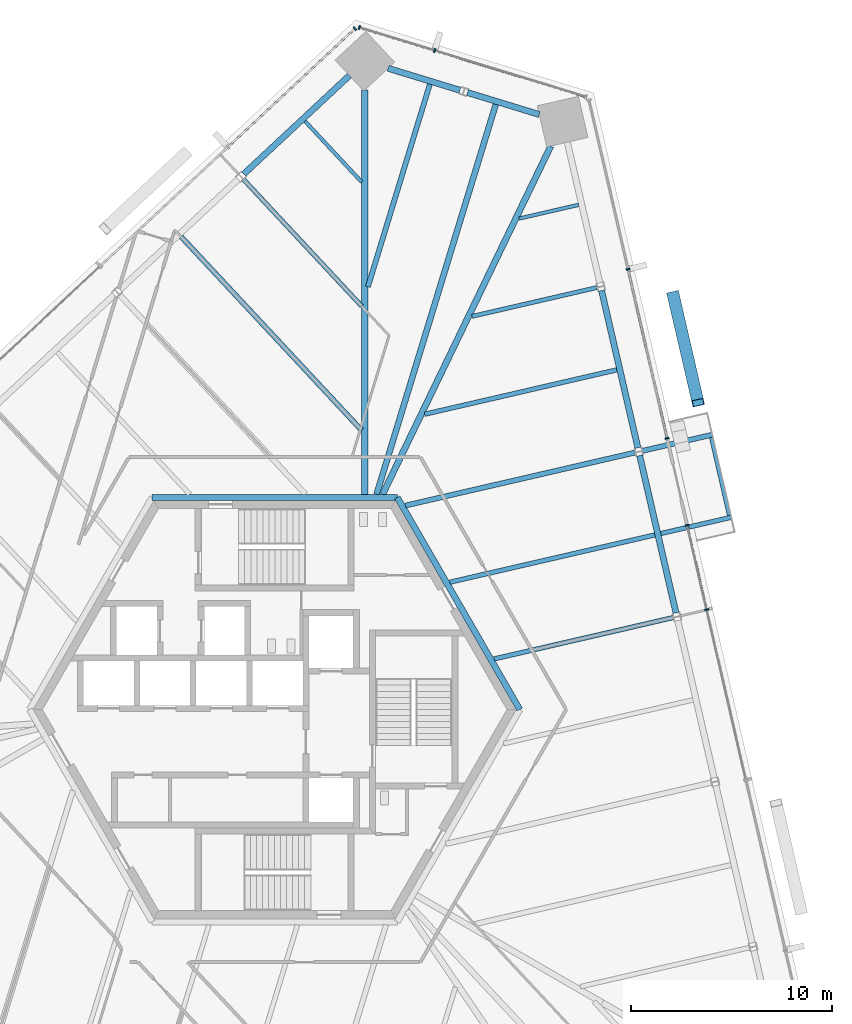
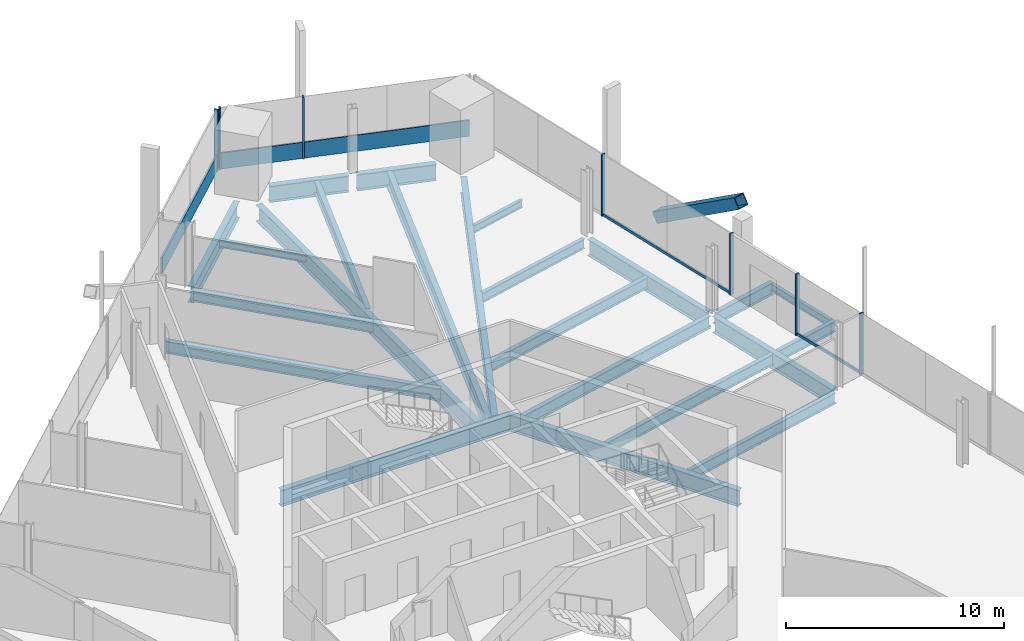
# One storey, part 9 of 23: 23 beams, 13 members, 4 elements without a shape of their own.
"""IFC4 building model written with IfcOpenShell, lengths in metres."""

from ifc_helpers import new_model, si_unit, direction, frame, origin, origin_2d, place, context, subcontext, project, spatial, rectangle, hollow_rectangle, i_section, extrude, source, transform, mapped, material, material_profile, profile_set, type_object, element, aggregate, save


model = new_model("IFC4")

# Units and contexts
model_context = context("Model", 3, precision=1e-05, world=origin(), true_north=direction((0.0, 1.0)))
body_context = subcontext(model_context, "Body", "Model", "MODEL_VIEW")
ifc_project = project(units=[si_unit("LENGTHUNIT", "METRE"), si_unit("AREAUNIT", "SQUARE_METRE"), si_unit("VOLUMEUNIT", "CUBIC_METRE"), si_unit("PLANEANGLEUNIT", "RADIAN"), si_unit("MASSUNIT", "GRAM", prefix="KILO")], contexts=[model_context])

# Site, building, storey
site_placement = place(None, origin())
site = spatial("IfcSite", under=ifc_project, at=site_placement, CompositionType="ELEMENT")
building_placement = place(site_placement, origin())
building = spatial("IfcBuilding", under=site, at=building_placement, Name="Triune Harvest Tower", CompositionType="ELEMENT")
storey_placement = place(building_placement, frame((0.0, 0.0, 105.5)))
storey = spatial("IfcBuildingStorey", under=building, at=storey_placement, Name="L26", CompositionType="ELEMENT", Elevation=105.5)

# Beams
ifc_material_1 = material(Name="Steel ASTM A992 Gr 50", Category="steel")
ifc_material_profile_1 = material_profile(ifc_material_1, i_section(OverallWidth=0.3046875, OverallDepth=0.914306640625, WebThickness=0.0166015625, FlangeThickness=0.02587890625, at=origin_2d()), Name="W36x160")
ifc_profile_set_1 = profile_set([ifc_material_profile_1], Name="Steel ASTM A992 Gr 50")
beam_type_1 = type_object("IfcBeamType", Name="CG-1 Core ring girder W36x160", PredefinedType="BEAM", material=ifc_profile_set_1)
shared_shape_1 = source(origin(), body_context, "Body", "SweptSolid", [
    extrude(i_section(OverallWidth=0.3046875, OverallDepth=0.914306640625, WebThickness=0.0166015625, FlangeThickness=0.02587890625, at=origin_2d()), origin(), (0.0, 0.0, 1.0), 12.176025390625),
])
beam_1_placement = place(storey_placement, frame((12.176025390625, 0.0, -0.6171875), z_axis=(-0.5000099932, 0.866019634131, 0.0), x_axis=(-0.866019634131, -0.5000099932, 0.0)))
element("IfcBeam", 1, at=beam_1_placement, inside=storey, type_object=beam_type_1, Name="beam/L26/CG1", PredefinedType="BEAM", context=body_context, shape_type="MappedRepresentation", body=[
    mapped(shared_shape_1, transform((0.0, 0.0, 0.0), scale=1.0)),
])
shared_shape_2 = source(origin(), body_context, "Body", "SweptSolid", [
    extrude(i_section(OverallWidth=0.3046875, OverallDepth=0.914306640625, WebThickness=0.0166015625, FlangeThickness=0.02587890625, at=origin_2d()), origin(), (0.0, 0.0, 1.0), 12.17578125),
])
beam_2_placement = place(storey_placement, frame((6.087890625, 10.544677734375, -0.6171875), z_axis=(-1.0, 0.0, 0.0), x_axis=(0.0, -1.0, 0.0)))
element("IfcBeam", 2, at=beam_2_placement, inside=storey, type_object=beam_type_1, Name="beam/L26/CG2", PredefinedType="BEAM", context=body_context, shape_type="MappedRepresentation", body=[
    mapped(shared_shape_2, transform((0.0, 0.0, 0.0), scale=1.0)),
])
ifc_material_2 = material(Name="Steel ASTM A992 Gr 50", Category="steel")
ifc_material_profile_2 = material_profile(ifc_material_2, i_section(OverallWidth=0.3046875, OverallDepth=0.914306640625, WebThickness=0.0166015625, FlangeThickness=0.02587890625, at=origin_2d()), Name="W36x160")
ifc_profile_set_2 = profile_set([ifc_material_profile_2], Name="Steel ASTM A992 Gr 50")
beam_type_2 = type_object("IfcBeamType", Name="SB-1 Spandrel beam W36x160", PredefinedType="SPANDREL", material=ifc_profile_set_2)
shared_shape_3 = source(origin(), body_context, "Body", "SweptSolid", [
    extrude(i_section(OverallWidth=0.3046875, OverallDepth=0.914306640625, WebThickness=0.0166015625, FlangeThickness=0.02587890625, at=origin_2d()), origin(), (0.0, 0.0, 1.0), 8.0185546875),
])
beam_3_placement = place(storey_placement, frame((18.04248046875, 13.00439453125, -0.6171875), z_axis=(-0.224915098534, 0.974378365139, 0.0), x_axis=(-0.974378365139, -0.224915098534, 0.0)))
element("IfcBeam", 3, at=beam_3_placement, inside=storey, type_object=beam_type_2, Name="beam/L26/SB5", PredefinedType="SPANDREL", context=body_context, shape_type="MappedRepresentation", body=[
    mapped(shared_shape_3, transform((0.0, 0.0, 0.0), scale=1.0)),
])
shared_shape_4 = source(origin(), body_context, "Body", "SweptSolid", [
    extrude(i_section(OverallWidth=0.3046875, OverallDepth=0.914306640625, WebThickness=0.0166015625, FlangeThickness=0.02587890625, at=origin_2d()), origin(), (0.0, 0.0, 1.0), 8.01806640625),
])
beam_4_placement = place(storey_placement, frame((19.935546875, 4.805908203125, -0.6171875), z_axis=(-0.224957352975, 0.97436861061, 0.0), x_axis=(-0.97436861061, -0.224957352975, 0.0)))
element("IfcBeam", 4, at=beam_4_placement, inside=storey, type_object=beam_type_2, Name="beam/L26/SB4", PredefinedType="SPANDREL", context=body_context, shape_type="MappedRepresentation", body=[
    mapped(shared_shape_4, transform((0.0, 0.0, 0.0), scale=1.0)),
])
shared_shape_5 = source(origin(), body_context, "Body", "SweptSolid", [
    extrude(i_section(OverallWidth=0.3046875, OverallDepth=0.914306640625, WebThickness=0.0166015625, FlangeThickness=0.02587890625, at=origin_2d()), origin(), (0.0, 0.0, 1.0), 7.16650390625),
])
beam_5_placement = place(storey_placement, frame((3.709228515625, 31.49658203125, -0.6171875), z_axis=(-0.731357675554, -0.681994098515, 0.0), x_axis=(0.681994098515, -0.731357675554, 0.0)))
element("IfcBeam", 5, at=beam_5_placement, inside=storey, type_object=beam_type_2, Name="beam/L26/SB9", PredefinedType="SPANDREL", context=body_context, shape_type="MappedRepresentation", body=[
    mapped(shared_shape_5, transform((0.0, 0.0, 0.0), scale=1.0)),
])
shared_shape_6 = source(origin(), body_context, "Body", "SweptSolid", [
    extrude(i_section(OverallWidth=0.3046875, OverallDepth=0.914306640625, WebThickness=0.0166015625, FlangeThickness=0.02587890625, at=origin_2d()), origin(), (0.0, 0.0, 1.0), 3.72607421875),
])
beam_6_placement = place(storey_placement, frame((13.14208984375, 29.563720703125, -0.6171875), z_axis=(-0.956307307825, 0.292363357829, 0.0), x_axis=(-0.292363357829, -0.956307307825, 0.0)))
element("IfcBeam", 6, at=beam_6_placement, inside=storey, type_object=beam_type_2, Name="beam/L26/SB7", PredefinedType="SPANDREL", context=body_context, shape_type="MappedRepresentation", body=[
    mapped(shared_shape_6, transform((0.0, 0.0, 0.0), scale=1.0)),
])
shared_shape_7 = source(origin(), body_context, "Body", "SweptSolid", [
    extrude(i_section(OverallWidth=0.3046875, OverallDepth=0.914306640625, WebThickness=0.0166015625, FlangeThickness=0.02587890625, at=origin_2d()), origin(), (0.0, 0.0, 1.0), 3.725830078125),
])
beam_7_placement = place(storey_placement, frame((9.19970703125, 30.768798828125, -0.6171875), z_axis=(-0.956301706638, 0.292381678431, 0.0), x_axis=(-0.292381678431, -0.956301706638, 0.0)))
element("IfcBeam", 7, at=beam_7_placement, inside=storey, type_object=beam_type_2, Name="beam/L26/SB8", PredefinedType="SPANDREL", context=body_context, shape_type="MappedRepresentation", body=[
    mapped(shared_shape_7, transform((0.0, 0.0, 0.0), scale=1.0)),
])
ifc_material_3 = material(Name="Steel ASTM A992 Gr 50", Category="steel")
ifc_material_profile_3 = material_profile(ifc_material_3, i_section(OverallWidth=0.307373046875, OverallDepth=0.922119140625, WebThickness=0.018310546875, FlangeThickness=0.030029296875, at=origin_2d()), Name="W36x182")
ifc_profile_set_3 = profile_set([ifc_material_profile_3], Name="Steel ASTM A992 Gr 50")
beam_type_3 = type_object("IfcBeamType", Name="HG-2 Hip girder W36x182", PredefinedType="BEAM", material=ifc_profile_set_3)
shared_shape_8 = source(origin(), body_context, "Body", "SweptSolid", [
    extrude(i_section(OverallWidth=0.307373046875, OverallDepth=0.922119140625, WebThickness=0.018310546875, FlangeThickness=0.030029296875, at=origin_2d()), origin(), (0.0, 0.0, 1.0), 19.2109375),
])
beam_8_placement = place(storey_placement, frame((13.7158203125, 27.996337890625, -0.62109375), z_axis=(-0.434869540736, -0.900493466129, 0.0), x_axis=(0.900493466129, -0.434869540736, 0.0)))
element("IfcBeam", 8, at=beam_8_placement, inside=storey, type_object=beam_type_3, Name="beam/L26/HG3", PredefinedType="BEAM", context=body_context, shape_type="MappedRepresentation", body=[
    mapped(shared_shape_8, transform((0.0, 0.0, 0.0), scale=1.0)),
])
shared_shape_9 = source(origin(), body_context, "Body", "SweptSolid", [
    extrude(i_section(OverallWidth=0.307373046875, OverallDepth=0.922119140625, WebThickness=0.018310546875, FlangeThickness=0.030029296875, at=origin_2d()), origin(), (0.0, 0.0, 1.0), 20.080078125),
])
beam_9_placement = place(storey_placement, frame((4.47705078125, 30.777099609375, -0.62109375), z_axis=(0.0, -1.0, 0.0), x_axis=(1.0, 0.0, 0.0)))
element("IfcBeam", 9, at=beam_9_placement, inside=storey, type_object=beam_type_3, Name="beam/L26/HG4", PredefinedType="BEAM", context=body_context, shape_type="MappedRepresentation", body=[
    mapped(shared_shape_9, transform((0.0, 0.0, 0.0), scale=1.0)),
])
ifc_material_4 = material(Name="Steel ASTM A992 Gr 50", Category="steel")
ifc_material_profile_4 = material_profile(ifc_material_4, i_section(OverallWidth=0.22900390625, OverallDepth=0.612060546875, WebThickness=0.011962890625, FlangeThickness=0.01953125, at=origin_2d()), Name="W24x84")
ifc_profile_set_4 = profile_set([ifc_material_profile_4], Name="Steel ASTM A992 Gr 50")
beam_type_4 = type_object("IfcBeamType", Name="JT-3 Floor joist W24x84", PredefinedType="JOIST", material=ifc_profile_set_4)
shared_shape_10 = source(origin(), body_context, "Body", "SweptSolid", [
    extrude(i_section(OverallWidth=0.22900390625, OverallDepth=0.612060546875, WebThickness=0.011962890625, FlangeThickness=0.01953125, at=origin_2d()), origin(), (0.0, 0.0, 1.0), 9.129150390625),
])
beam_10_placement = place(storey_placement, frame((19.79443359375, 4.56982421875, -0.466064453125), z_axis=(-0.974374065454, -0.22493372484, 0.0), x_axis=(0.22493372484, -0.974374065454, 0.0)))
element("IfcBeam", 10, at=beam_10_placement, inside=storey, type_object=beam_type_4, Name="beam/L26/JT6", PredefinedType="JOIST", context=body_context, shape_type="MappedRepresentation", body=[
    mapped(shared_shape_10, transform((0.0, 0.0, 0.0), scale=1.0)),
])
shared_shape_11 = source(origin(), body_context, "Body", "SweptSolid", [
    extrude(i_section(OverallWidth=0.22900390625, OverallDepth=0.612060546875, WebThickness=0.011962890625, FlangeThickness=0.01953125, at=origin_2d()), origin(), (0.0, 0.0, 1.0), 10.45361328125),
])
beam_11_placement = place(storey_placement, frame((18.88525390625, 8.677978515625, -0.466064453125), z_axis=(-0.974370329956, -0.224949905758, 0.0), x_axis=(0.224949905758, -0.974370329956, 0.0)))
element("IfcBeam", 11, at=beam_11_placement, inside=storey, type_object=beam_type_4, Name="beam/L26/JT7", PredefinedType="JOIST", context=body_context, shape_type="MappedRepresentation", body=[
    mapped(shared_shape_11, transform((0.0, 0.0, 0.0), scale=1.0)),
])
ifc_material_5 = material(Name="Steel ASTM A992 Gr 50", Category="steel")
ifc_material_profile_5 = material_profile(ifc_material_5, i_section(OverallWidth=0.253662109375, OverallDepth=0.683349609375, WebThickness=0.012451171875, FlangeThickness=0.01904296875, at=origin_2d()), Name="W27x94")
ifc_profile_set_5 = profile_set([ifc_material_profile_5], Name="Steel ASTM A992 Gr 50")
beam_type_5 = type_object("IfcBeamType", Name="JT-4 Floor joist W27x94", PredefinedType="JOIST", material=ifc_profile_set_5)
shared_shape_12 = source(origin(), body_context, "Body", "SweptSolid", [
    extrude(i_section(OverallWidth=0.253662109375, OverallDepth=0.683349609375, WebThickness=0.012451171875, FlangeThickness=0.01904296875, at=origin_2d()), origin(), (0.0, 0.0, 1.0), 11.701904296875),
])
beam_12_placement = place(storey_placement, frame((17.901611328125, 12.768798828125, -0.501708984375), z_axis=(-0.974365520252, -0.224970737974, 0.0), x_axis=(0.224970737974, -0.974365520252, 0.0)))
element("IfcBeam", 12, at=beam_12_placement, inside=storey, type_object=beam_type_5, Name="beam/L26/JT8", PredefinedType="JOIST", context=body_context, shape_type="MappedRepresentation", body=[
    mapped(shared_shape_12, transform((0.0, 0.0, 0.0), scale=1.0)),
])
shared_shape_13 = source(origin(), body_context, "Body", "SweptSolid", [
    extrude(i_section(OverallWidth=0.22900390625, OverallDepth=0.612060546875, WebThickness=0.011962890625, FlangeThickness=0.01953125, at=origin_2d()), origin(), (0.0, 0.0, 1.0), 9.790283203125),
])
beam_13_placement = place(storey_placement, frame((16.9921875, 16.876708984375, -0.466064453125), z_axis=(-0.974368495141, -0.224957853113, 0.0), x_axis=(0.224957853113, -0.974368495141, 0.0)))
element("IfcBeam", 13, at=beam_13_placement, inside=storey, type_object=beam_type_4, Name="beam/L26/JT9", PredefinedType="JOIST", context=body_context, shape_type="MappedRepresentation", body=[
    mapped(shared_shape_13, transform((0.0, 0.0, 0.0), scale=1.0)),
])
ifc_material_6 = material(Name="Steel ASTM A992 Gr 50", Category="steel")
ifc_material_profile_6 = material_profile(ifc_material_6, i_section(OverallWidth=0.2099609375, OverallDepth=0.535888671875, WebThickness=0.010986328125, FlangeThickness=0.017333984375, at=origin_2d()), Name="W21x68")
ifc_profile_set_6 = profile_set([ifc_material_profile_6], Name="Steel ASTM A992 Gr 50")
beam_type_6 = type_object("IfcBeamType", Name="JT-2 Floor joist W21x68", PredefinedType="JOIST", material=ifc_profile_set_6)
shared_shape_14 = source(origin(), body_context, "Body", "SweptSolid", [
    extrude(i_section(OverallWidth=0.2099609375, OverallDepth=0.535888671875, WebThickness=0.010986328125, FlangeThickness=0.017333984375, at=origin_2d()), origin(), (0.0, 0.0, 1.0), 6.372314453125),
])
beam_14_placement = place(storey_placement, frame((16.0087890625, 20.967529296875, -0.427978515625), z_axis=(-0.974365360565, -0.224971429586, 0.0), x_axis=(0.224971429586, -0.974365360565, 0.0)))
element("IfcBeam", 14, at=beam_14_placement, inside=storey, type_object=beam_type_6, Name="beam/L26/JT10", PredefinedType="JOIST", context=body_context, shape_type="MappedRepresentation", body=[
    mapped(shared_shape_14, transform((0.0, 0.0, 0.0), scale=1.0)),
])
ifc_material_7 = material(Name="Steel ASTM A992 Gr 50", Category="steel")
ifc_material_profile_7 = material_profile(ifc_material_7, i_section(OverallWidth=0.180908203125, OverallDepth=0.41650390625, WebThickness=0.010986328125, FlangeThickness=0.01806640625, at=origin_2d()), Name="W16x57")
ifc_profile_set_7 = profile_set([ifc_material_profile_7], Name="Steel ASTM A992 Gr 50")
beam_type_7 = type_object("IfcBeamType", Name="JT-1 Floor joist W16x57", PredefinedType="JOIST", material=ifc_profile_set_7)
shared_shape_15 = source(origin(), body_context, "Body", "SweptSolid", [
    extrude(i_section(OverallWidth=0.180908203125, OverallDepth=0.41650390625, WebThickness=0.010986328125, FlangeThickness=0.01806640625, at=origin_2d()), origin(), (0.0, 0.0, 1.0), 3.0302734375),
])
beam_15_placement = place(storey_placement, frame((15.099365234375, 25.075439453125, -0.368408203125), z_axis=(-0.974372182121, -0.224941882957, 0.0), x_axis=(0.224941882957, -0.974372182121, 0.0)))
element("IfcBeam", 15, at=beam_15_placement, inside=storey, type_object=beam_type_7, Name="beam/L26/JT11", PredefinedType="JOIST", context=body_context, shape_type="MappedRepresentation", body=[
    mapped(shared_shape_15, transform((0.0, 0.0, 0.0), scale=1.0)),
])
ifc_material_8 = material(Name="Steel ASTM A992 Gr 50", Category="steel")
ifc_material_profile_8 = material_profile(ifc_material_8, i_section(OverallWidth=0.2919921875, OverallDepth=0.8583984375, WebThickness=0.01708984375, FlangeThickness=0.031005859375, at=origin_2d()), Name="W33x169")
ifc_profile_set_8 = profile_set([ifc_material_profile_8], Name="Steel ASTM A992 Gr 50")
beam_type_8 = type_object("IfcBeamType", Name="JT-7 Floor joist W33x169", PredefinedType="JOIST", material=ifc_profile_set_8)
shared_shape_16 = source(origin(), body_context, "Body", "SweptSolid", [
    extrude(i_section(OverallWidth=0.2919921875, OverallDepth=0.8583984375, WebThickness=0.01708984375, FlangeThickness=0.031005859375, at=origin_2d()), origin(), (0.0, 0.0, 1.0), 20.252685546875),
])
beam_16_placement = place(storey_placement, frame((10.982177734375, 30.064697265625, -0.58935546875), z_axis=(-0.292364925189, -0.956306828648, 0.0), x_axis=(0.956306828648, -0.292364925189, 0.0)))
element("IfcBeam", 16, at=beam_16_placement, inside=storey, type_object=beam_type_8, Name="beam/L26/JT12", PredefinedType="JOIST", context=body_context, shape_type="MappedRepresentation", body=[
    mapped(shared_shape_16, transform((0.0, 0.0, 0.0), scale=1.0)),
])
shared_shape_17 = source(origin(), body_context, "Body", "SweptSolid", [
    extrude(i_section(OverallWidth=0.253662109375, OverallDepth=0.683349609375, WebThickness=0.012451171875, FlangeThickness=0.01904296875, at=origin_2d()), origin(), (0.0, 0.0, 1.0), 10.522705078125),
])
beam_17_placement = place(storey_placement, frame((7.707275390625, 31.065673828125, -0.501708984375), z_axis=(-0.292358820543, -0.956308694957, 0.0), x_axis=(0.956308694957, -0.292358820543, 0.0)))
element("IfcBeam", 17, at=beam_17_placement, inside=storey, type_object=beam_type_5, Name="beam/L26/JT13", PredefinedType="JOIST", context=body_context, shape_type="MappedRepresentation", body=[
    mapped(shared_shape_17, transform((0.0, 0.0, 0.0), scale=1.0)),
])
shared_shape_18 = source(origin(), body_context, "Body", "SweptSolid", [
    extrude(i_section(OverallWidth=0.180908203125, OverallDepth=0.41650390625, WebThickness=0.010986328125, FlangeThickness=0.01806640625, at=origin_2d()), origin(), (0.0, 0.0, 1.0), 4.134033203125),
])
beam_18_placement = place(storey_placement, frame((1.504150390625, 29.23193359375, -0.368408203125), z_axis=(0.681989931417, -0.731361561367, 0.0), x_axis=(0.731361561367, 0.681989931417, 0.0)))
element("IfcBeam", 18, at=beam_18_placement, inside=storey, type_object=beam_type_7, Name="beam/L26/JT14", PredefinedType="JOIST", context=body_context, shape_type="MappedRepresentation", body=[
    mapped(shared_shape_18, transform((0.0, 0.0, 0.0), scale=1.0)),
])
shared_shape_19 = source(origin(), body_context, "Body", "SweptSolid", [
    extrude(i_section(OverallWidth=0.22900390625, OverallDepth=0.612060546875, WebThickness=0.011962890625, FlangeThickness=0.01953125, at=origin_2d()), origin(), (0.0, 0.0, 1.0), 8.607666015625),
])
beam_19_placement = place(storey_placement, frame((-1.546875, 26.334716796875, -0.466064453125), z_axis=(0.681999854465, -0.731352308063, 0.0), x_axis=(0.731352308063, 0.681999854465, 0.0)))
element("IfcBeam", 19, at=beam_19_placement, inside=storey, type_object=beam_type_4, Name="beam/L26/JT15", PredefinedType="JOIST", context=body_context, shape_type="MappedRepresentation", body=[
    mapped(shared_shape_19, transform((0.0, 0.0, 0.0), scale=1.0)),
])
shared_shape_20 = source(origin(), body_context, "Body", "SweptSolid", [
    extrude(i_section(OverallWidth=0.253662109375, OverallDepth=0.683349609375, WebThickness=0.012451171875, FlangeThickness=0.01904296875, at=origin_2d()), origin(), (0.0, 0.0, 1.0), 13.157470703125),
])
beam_20_placement = place(storey_placement, frame((-4.64990234375, 23.493408203125, -0.501708984375), z_axis=(0.681997545037, -0.731354461642, 0.0), x_axis=(0.731354461642, 0.681997545037, 0.0)))
element("IfcBeam", 20, at=beam_20_placement, inside=storey, type_object=beam_type_5, Name="beam/L26/JT16", PredefinedType="JOIST", context=body_context, shape_type="MappedRepresentation", body=[
    mapped(shared_shape_20, transform((0.0, 0.0, 0.0), scale=1.0)),
])

# Member
ifc_material_9 = material(Name="Steel ASTM A572 Gr 50", Category="steel")
ifc_material_profile_9 = material_profile(ifc_material_9, hollow_rectangle(XDim=0.60009765625, YDim=0.60009765625, WallThickness=0.0400390625, at=origin_2d()), Name="Box 600x600x40")
ifc_profile_set_9 = profile_set([ifc_material_profile_9], Name="Steel ASTM A572 Gr 50")
member_type_1 = type_object("IfcMemberType", Name="BR-2 Brace Box 600x600x40", PredefinedType="BRACE", material=ifc_profile_set_9)
shared_shape_21 = source(origin(), body_context, "Body", "SweptSolid", [
    extrude(hollow_rectangle(XDim=0.60009765625, YDim=0.60009765625, WallThickness=0.0400390625, at=origin_2d()), origin(), (0.0, 0.0, 1.0), 6.566650390625),
])
member_1_placement = place(storey_placement, frame((19.7978515625, 20.599365234375, 0.0), z_axis=(0.188125299716, -0.814887414855, 0.54824025091), x_axis=(0.974371711617, 0.224943921014, 0.0)))
element("IfcMember", 21, at=member_1_placement, inside=storey, type_object=member_type_1, Name="brace/B3-F1/d2/3", PredefinedType="BRACE", context=body_context, shape_type="MappedRepresentation", body=[
    mapped(shared_shape_21, transform((0.0, 0.0, 0.0), scale=1.0)),
])

# Curtain wall, members
ifc_material_10 = material(Name="Aluminium bronze anodised", Category="aluminium")
curtain_wall_type_1 = type_object("IfcCurtainWallType", Name="CW-1 Tower stick curtain wall", PredefinedType="NOTDEFINED", material=ifc_material_10)
curtain_wall_1_placement = place(storey_placement, origin())
curtain_wall_1 = element("IfcCurtainWall", 22, at=curtain_wall_1_placement, inside=storey, type_object=curtain_wall_type_1, Name="CW-1 B3-F2 L26 run 1")
ifc_material_11 = material(Name="Aluminium bronze anodised", Category="aluminium")
ifc_material_profile_10 = material_profile(ifc_material_11, rectangle(XDim=0.199951171875, YDim=0.074951171875, at=origin_2d()), Name="MU-1 mullion 75 x 200")
ifc_profile_set_10 = profile_set([ifc_material_profile_10], Name="Aluminium bronze anodised")
member_type_2 = type_object("IfcMemberType", Name="MU-1 mullion 75 x 200", PredefinedType="MULLION", material=ifc_profile_set_10)
shared_shape_22 = source(origin(), body_context, "Body", "SweptSolid", [
    extrude(rectangle(XDim=0.199951171875, YDim=0.074951171875, at=origin_2d()), origin(), (0.0, 0.0, 1.0), 3.43994140625),
])
member_2_placement = place(storey_placement, frame((7.945068359375, 32.740478515625, 0.0), z_axis=(0.0, 0.0, 1.0), x_axis=(-0.292376962095, -0.956303148607, 0.0)))
member_2 = element("IfcMember", 23, at=member_2_placement, type_object=member_type_2, Name="CW-1 mullion B3-F2 1.3", PredefinedType="MULLION", context=body_context, shape_type="MappedRepresentation", body=[
    mapped(shared_shape_22, transform((0.0, 0.0, 0.0), scale=1.0)),
])
member_3_placement = place(storey_placement, frame((4.20458984375, 33.884033203125, 0.0), z_axis=(0.0, 0.0, 1.0), x_axis=(-0.292376962095, -0.956303148607, 0.0)))
member_3 = element("IfcMember", 24, at=member_3_placement, type_object=member_type_2, Name="CW-1 mullion B3-F2 1.4", PredefinedType="MULLION", context=body_context, shape_type="MappedRepresentation", body=[
    mapped(shared_shape_22, transform((0.0, 0.0, 0.0), scale=1.0)),
])

# Curtain wall, member
ifc_material_12 = material(Name="Aluminium bronze anodised", Category="aluminium")
curtain_wall_type_2 = type_object("IfcCurtainWallType", Name="CW-7 Tower stick curtain wall with insulated spandrel infill", PredefinedType="NOTDEFINED", material=ifc_material_12)
curtain_wall_2_placement = place(storey_placement, origin())
curtain_wall_2 = element("IfcCurtainWall", 25, at=curtain_wall_2_placement, inside=storey, type_object=curtain_wall_type_2, Name="CW-7 B3-F3 L26 run 1")
member_4_placement = place(storey_placement, frame((3.9892578125, 33.83447265625, 0.0), z_axis=(0.0, 0.0, 1.0), x_axis=(0.681999137741, -0.731352976421, 0.0)))
member_4 = element("IfcMember", 26, at=member_4_placement, type_object=member_type_2, Name="CW-7 mullion B3-F3 1.1", PredefinedType="MULLION", context=body_context, shape_type="MappedRepresentation", body=[
    mapped(shared_shape_22, transform((0.0, 0.0, 0.0), scale=1.0)),
])

# Curtain wall, members
ifc_material_13 = material(Name="Aluminium bronze anodised", Category="aluminium")
curtain_wall_type_3 = type_object("IfcCurtainWallType", Name="CW-6 Balcony window wall", PredefinedType="NOTDEFINED", material=ifc_material_13)
curtain_wall_3_placement = place(storey_placement, origin())
curtain_wall_3 = element("IfcCurtainWall", 27, at=curtain_wall_3_placement, inside=storey, type_object=curtain_wall_type_3, Name="CW-6 B3-F1 L26 run 1001")
ifc_material_14 = material(Name="Aluminium bronze anodised", Category="aluminium")
ifc_material_profile_11 = material_profile(ifc_material_14, rectangle(XDim=0.199951171875, YDim=0.074951171875, at=origin_2d()), Name="MU-6 mullion 75 x 200")
ifc_profile_set_11 = profile_set([ifc_material_profile_11], Name="Aluminium bronze anodised")
member_type_3 = type_object("IfcMemberType", Name="MU-6 mullion 75 x 200", PredefinedType="MULLION", material=ifc_profile_set_11)
shared_shape_23 = source(origin(), body_context, "Body", "SweptSolid", [
    extrude(rectangle(XDim=0.199951171875, YDim=0.074951171875, at=origin_2d()), origin(), (0.0, 0.0, 1.0), 3.43994140625),
])
member_5_placement = place(storey_placement, frame((21.456787109375, 4.966796875, 0.0), z_axis=(0.0, 0.0, 1.0), x_axis=(-0.974369230781, -0.224954666784, 0.0)))
member_5 = element("IfcMember", 28, at=member_5_placement, type_object=member_type_3, Name="CW-6 mullion B3-F1 1001.3", PredefinedType="MULLION", context=body_context, shape_type="MappedRepresentation", body=[
    mapped(shared_shape_23, transform((0.0, 0.0, 0.0), scale=1.0)),
])
member_6_placement = place(storey_placement, frame((20.489013671875, 9.15966796875, 0.0), z_axis=(0.0, 0.0, 1.0), x_axis=(-0.974369230781, -0.224954666784, 0.0)))
member_6 = element("IfcMember", 29, at=member_6_placement, type_object=member_type_3, Name="CW-6 mullion B3-F1 1001.4", PredefinedType="MULLION", context=body_context, shape_type="MappedRepresentation", body=[
    mapped(shared_shape_23, transform((0.0, 0.0, 0.0), scale=1.0)),
])

ifc_material_15 = material(Name="Aluminium bronze anodised", Category="aluminium")
curtain_wall_type_4 = type_object("IfcCurtainWallType", Name="CW-10 Balcony window wall with insulated spandrel infill", PredefinedType="NOTDEFINED", material=ifc_material_15)
curtain_wall_4_placement = place(storey_placement, origin())
curtain_wall_4 = element("IfcCurtainWall", 30, at=curtain_wall_4_placement, inside=storey, type_object=curtain_wall_type_4, Name="CW-10 B3-F1 L26 run 2")
member_7_placement = place(storey_placement, frame((19.49267578125, 13.474365234375, 0.0), z_axis=(0.0, 0.0, 1.0), x_axis=(-0.974370027263, -0.22495121687, 0.0)))
member_7 = element("IfcMember", 31, at=member_7_placement, type_object=member_type_3, Name="CW-10 mullion B3-F1 2.1", PredefinedType="MULLION", context=body_context, shape_type="MappedRepresentation", body=[
    mapped(shared_shape_23, transform((0.0, 0.0, 0.0), scale=1.0)),
])
member_8_placement = place(storey_placement, frame((17.552734375, 21.877685546875, 0.0), z_axis=(0.0, 0.0, 1.0), x_axis=(-0.974370027263, -0.22495121687, 0.0)))
member_8 = element("IfcMember", 32, at=member_8_placement, type_object=member_type_3, Name="CW-10 mullion B3-F1 2.3", PredefinedType="MULLION", context=body_context, shape_type="MappedRepresentation", body=[
    mapped(shared_shape_23, transform((0.0, 0.0, 0.0), scale=1.0)),
])

# Beams
ifc_material_16 = material(Name="Steel ASTM A992 Gr 50", Category="steel")
ifc_material_profile_12 = material_profile(ifc_material_16, i_section(OverallWidth=0.253662109375, OverallDepth=0.683349609375, WebThickness=0.012451171875, FlangeThickness=0.01904296875, at=origin_2d()), Name="W27x94")
ifc_profile_set_12 = profile_set([ifc_material_profile_12], Name="Steel ASTM A992 Gr 50")
beam_type_9 = type_object("IfcBeamType", Name="BJ-4 Balcony cantilever joist W27x94", PredefinedType="JOIST", material=ifc_profile_set_12)
shared_shape_24 = source(origin(), body_context, "Body", "SweptSolid", [
    extrude(i_section(OverallWidth=0.253662109375, OverallDepth=0.683349609375, WebThickness=0.012451171875, FlangeThickness=0.01904296875, at=origin_2d()), origin(), (0.0, 0.0, 1.0), 3.59765625),
])
beam_21_placement = place(storey_placement, frame((18.235595703125, 12.845703125, -0.501708984375), z_axis=(0.97436717145, 0.224963586388, 0.0), x_axis=(-0.224963586388, 0.97436717145, 0.0)))
element("IfcBeam", 33, at=beam_21_placement, inside=storey, type_object=beam_type_9, Name="Balcony cantilever joist B3-F1 L26.8a", PredefinedType="JOIST", context=body_context, shape_type="MappedRepresentation", body=[
    mapped(shared_shape_24, transform((0.0, 0.0, 0.0), scale=1.0)),
])
ifc_material_17 = material(Name="Steel ASTM A992 Gr 50", Category="steel")
ifc_material_profile_13 = material_profile(ifc_material_17, i_section(OverallWidth=0.22900390625, OverallDepth=0.612060546875, WebThickness=0.011962890625, FlangeThickness=0.01953125, at=origin_2d()), Name="W24x84")
ifc_profile_set_13 = profile_set([ifc_material_profile_13], Name="Steel ASTM A992 Gr 50")
beam_type_10 = type_object("IfcBeamType", Name="BJ-3 Balcony cantilever joist W24x84", PredefinedType="JOIST", material=ifc_profile_set_13)
shared_shape_25 = source(origin(), body_context, "Body", "SweptSolid", [
    extrude(i_section(OverallWidth=0.22900390625, OverallDepth=0.612060546875, WebThickness=0.011962890625, FlangeThickness=0.01953125, at=origin_2d()), origin(), (0.0, 0.0, 1.0), 3.597412109375),
])
beam_22_placement = place(storey_placement, frame((19.18212890625, 8.74658203125, -0.466064453125), z_axis=(0.974382044773, 0.224899157012, 0.0), x_axis=(-0.224899157012, 0.974382044773, 0.0)))
element("IfcBeam", 34, at=beam_22_placement, inside=storey, type_object=beam_type_10, Name="Balcony cantilever joist B3-F1 L26.8b", PredefinedType="JOIST", context=body_context, shape_type="MappedRepresentation", body=[
    mapped(shared_shape_25, transform((0.0, 0.0, 0.0), scale=1.0)),
])

# Member
ifc_material_18 = material(Name="Aluminium bronze anodised", Category="aluminium")
ifc_material_profile_14 = material_profile(ifc_material_18, rectangle(XDim=0.090087890625, YDim=0.89990234375, at=origin_2d()), Name="TR-1 transom 90 x 900")
ifc_profile_set_14 = profile_set([ifc_material_profile_14], Name="Aluminium bronze anodised")
member_type_4 = type_object("IfcMemberType", Name="TR-1 transom 90 x 900", PredefinedType="USERDEFINED", material=ifc_profile_set_14)
shared_shape_26 = source(origin(), body_context, "Body", "SweptSolid", [
    extrude(rectangle(XDim=0.090087890625, YDim=0.89990234375, at=origin_2d()), origin(), (0.0, 0.0, 1.0), 7.78564453125),
])
member_9_placement = place(storey_placement, frame((15.42626953125, 30.453125, 0.449951171875), z_axis=(-0.956300923205, 0.292384240817, 0.0), x_axis=(-0.292384240817, -0.956300923205, 0.0)))
member_9 = element("IfcMember", 35, at=member_9_placement, type_object=member_type_4, Name="CW-1 transom B3-F2 1.1", ObjectType="TRANSOM", PredefinedType="USERDEFINED", context=body_context, shape_type="MappedRepresentation", body=[
    mapped(shared_shape_26, transform((0.0, 0.0, 0.0), scale=1.0)),
])

shared_shape_27 = source(origin(), body_context, "Body", "SweptSolid", [
    extrude(rectangle(XDim=0.090087890625, YDim=0.89990234375, at=origin_2d()), origin(), (0.0, 0.0, 1.0), 3.83642578125),
])
member_10_placement = place(storey_placement, frame((7.9091796875, 32.75146484375, 0.449951171875), z_axis=(-0.956308580564, 0.292359194724, 0.0), x_axis=(-0.292359194724, -0.956308580564, 0.0)))
member_10 = element("IfcMember", 36, at=member_10_placement, type_object=member_type_4, Name="CW-1 transom B3-F2 1.2", ObjectType="TRANSOM", PredefinedType="USERDEFINED", context=body_context, shape_type="MappedRepresentation", body=[
    mapped(shared_shape_27, transform((0.0, 0.0, 0.0), scale=1.0)),
])

aggregate(curtain_wall_1, [member_2, member_3, member_9, member_10])

shared_shape_28 = source(origin(), body_context, "Body", "SweptSolid", [
    extrude(rectangle(XDim=0.090087890625, YDim=0.89990234375, at=origin_2d()), origin(), (0.0, 0.0, 1.0), 8.564208984375),
])
member_11_placement = place(storey_placement, frame((3.9619140625, 33.808837890625, 0.449951171875), z_axis=(-0.731349073873, -0.682003322679, 0.0), x_axis=(0.682003322679, -0.731349073873, 0.0)))
member_11 = element("IfcMember", 37, at=member_11_placement, type_object=member_type_4, Name="CW-7 transom B3-F3 1.1", ObjectType="TRANSOM", PredefinedType="USERDEFINED", context=body_context, shape_type="MappedRepresentation", body=[
    mapped(shared_shape_28, transform((0.0, 0.0, 0.0), scale=1.0)),
])

aggregate(curtain_wall_2, [member_4, member_11])

ifc_material_19 = material(Name="Aluminium bronze anodised", Category="aluminium")
ifc_material_profile_15 = material_profile(ifc_material_19, rectangle(XDim=0.090087890625, YDim=0.14990234375, at=origin_2d()), Name="TR-6 transom 90 x 150")
ifc_profile_set_15 = profile_set([ifc_material_profile_15], Name="Aluminium bronze anodised")
member_type_5 = type_object("IfcMemberType", Name="TR-6 transom 90 x 150", PredefinedType="USERDEFINED", material=ifc_profile_set_15)
shared_shape_29 = source(origin(), body_context, "Body", "SweptSolid", [
    extrude(rectangle(XDim=0.090087890625, YDim=0.14990234375, at=origin_2d()), origin(), (0.0, 0.0, 1.0), 4.22802734375),
])
member_12_placement = place(storey_placement, frame((21.448486328125, 5.00341796875, 0.074951171875), z_axis=(-0.224969153277, 0.97436588614, 0.0), x_axis=(-0.97436588614, -0.224969153277, 0.0)))
member_12 = element("IfcMember", 38, at=member_12_placement, type_object=member_type_5, Name="CW-6 transom B3-F1 1001.2", ObjectType="TRANSOM", PredefinedType="USERDEFINED", context=body_context, shape_type="MappedRepresentation", body=[
    mapped(shared_shape_29, transform((0.0, 0.0, 0.0), scale=1.0)),
])

aggregate(curtain_wall_3, [member_5, member_6, member_12])

# Beam
ifc_material_20 = material(Name="Steel ASTM A992 Gr 50", Category="steel")
ifc_material_profile_16 = material_profile(ifc_material_20, i_section(OverallWidth=0.180908203125, OverallDepth=0.41650390625, WebThickness=0.010986328125, FlangeThickness=0.01806640625, at=origin_2d()), Name="W16x57")
ifc_profile_set_16 = profile_set([ifc_material_profile_16], Name="Steel ASTM A992 Gr 50")
beam_type_11 = type_object("IfcBeamType", Name="BE-1 balcony edge beam W16x57", PredefinedType="BEAM", material=ifc_profile_set_16)
shared_shape_30 = source(origin(), body_context, "Body", "SweptSolid", [
    extrude(i_section(OverallWidth=0.180908203125, OverallDepth=0.41650390625, WebThickness=0.010986328125, FlangeThickness=0.01806640625, at=origin_2d()), origin(), (0.0, 0.0, 1.0), 3.965576171875),
])
beam_23_placement = place(storey_placement, frame((21.681396484375, 13.510986328125, -0.368408203125), z_axis=(0.224953926444, -0.974369401704, 0.0), x_axis=(0.974369401704, 0.224953926444, 0.0)))
element("IfcBeam", 39, at=beam_23_placement, inside=storey, type_object=beam_type_11, Name="Balcony edge beam B3-F1 L26.8", PredefinedType="BEAM", context=body_context, shape_type="MappedRepresentation", body=[
    mapped(shared_shape_30, transform((0.0, 0.0, 0.0), scale=1.0)),
])

# Member
shared_shape_31 = source(origin(), body_context, "Body", "SweptSolid", [
    extrude(rectangle(XDim=0.090087890625, YDim=0.14990234375, at=origin_2d()), origin(), (0.0, 0.0, 1.0), 8.54931640625),
])
member_13_placement = place(storey_placement, frame((19.484375, 13.510986328125, 0.074951171875), z_axis=(-0.224972128912, 0.974365199098, 0.0), x_axis=(-0.974365199098, -0.224972128912, 0.0)))
member_13 = element("IfcMember", 40, at=member_13_placement, type_object=member_type_5, Name="CW-10 transom B3-F1 2.1", ObjectType="TRANSOM", PredefinedType="USERDEFINED", context=body_context, shape_type="MappedRepresentation", body=[
    mapped(shared_shape_31, transform((0.0, 0.0, 0.0), scale=1.0)),
])

aggregate(curtain_wall_4, [member_7, member_8, member_13])

save(model, "model.ifc")
